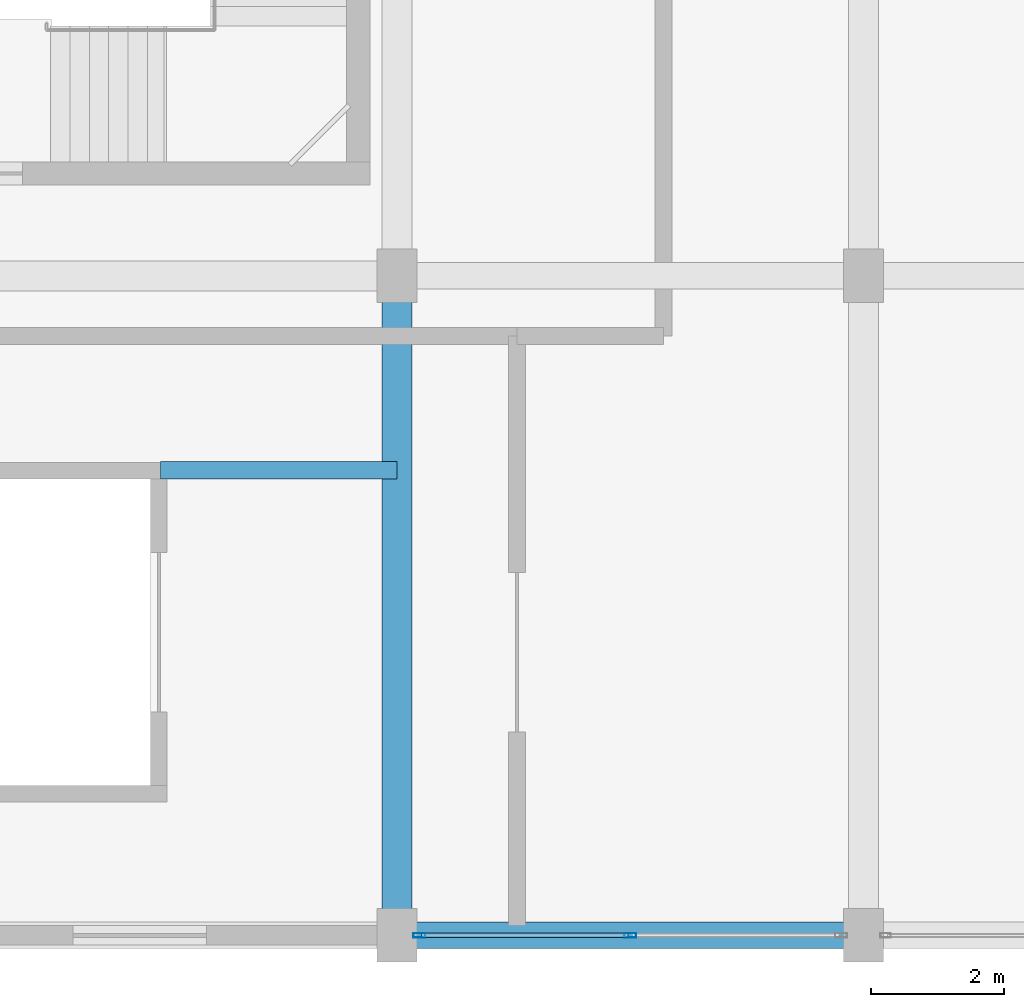
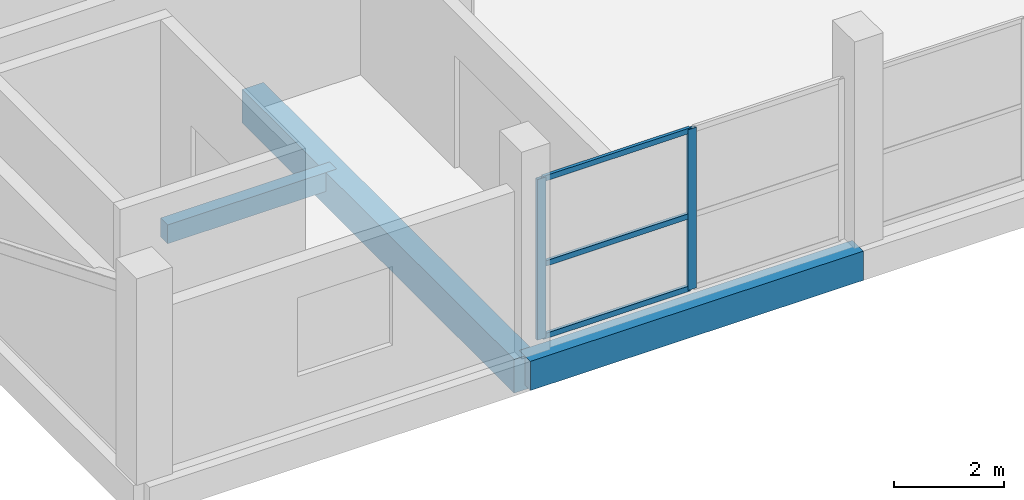
# One storey, part 2 of 58: 5 members, 3 beams, 1 element without a shape of its own.
"""IFC4 building model written with IfcOpenShell, lengths in metres."""

from ifc_helpers import new_model, si_unit, direction, frame, origin, origin_2d, place, context, subcontext, project, spatial, rectangle, hollow_rectangle, extrude, material, layer, layer_set, material_profile, profile_set, type_object, element, aggregate, save


model = new_model("IFC4")

# Units and contexts
model_context = context("Model", 3, precision=1e-05, world=origin(), true_north=direction((0.0, 1.0)))
body_context = subcontext(model_context, "Body", "Model", "MODEL_VIEW")
ifc_project = project(units=[si_unit("LENGTHUNIT", "METRE"), si_unit("AREAUNIT", "SQUARE_METRE"), si_unit("VOLUMEUNIT", "CUBIC_METRE"), si_unit("PLANEANGLEUNIT", "RADIAN"), si_unit("MASSUNIT", "GRAM", prefix="KILO")], contexts=[model_context])

# Site, building, storey
site_placement = place(None, origin())
site = spatial("IfcSite", under=ifc_project, at=site_placement, CompositionType="ELEMENT")
building_placement = place(site_placement, origin())
building = spatial("IfcBuilding", under=site, at=building_placement, Name="Sillaruma Civic Art Gallery", CompositionType="ELEMENT")
storey_placement = place(building_placement, frame((0.0, 0.0, 28.56005859375)))
storey = spatial("IfcBuildingStorey", under=building, at=storey_placement, Name="L05", CompositionType="ELEMENT", Elevation=28.56005859375)

# Beams
ifc_material_1 = material(Name="Concrete H40 (40 MPa)", Category="concrete")
ifc_material_profile_1 = material_profile(ifc_material_1, rectangle(XDim=0.449951171875, YDim=0.75, at=origin_2d()), Name="RCB450x750")
ifc_profile_set_1 = profile_set([ifc_material_profile_1], Name="Concrete H40 (40 MPa)")
beam_type_1 = type_object("IfcBeamType", Name="BM-BEAM-RCB450x750", PredefinedType="BEAM", material=ifc_profile_set_1)
beam_1_placement = place(storey_placement, frame((70.0, 19.800048828125, -0.655029296875), z_axis=(0.0, 1.0, 0.0), x_axis=(-1.0, 0.0, 0.0)))
element("IfcBeam", 1, at=beam_1_placement, inside=storey, type_object=beam_type_1, Name="Beam BM-03 (L04:G:3-4)", PredefinedType="BEAM", context=body_context, shape_type="SweptSolid", body=[
    extrude(rectangle(XDim=0.449951171875, YDim=0.75, at=origin_2d()), origin(), (0.0, 0.0, 1.0), 9.89990234375),
])
ifc_material_2 = material(Name="Concrete H35 (35 MPa)", Category="concrete")
ifc_material_profile_2 = material_profile(ifc_material_2, rectangle(XDim=0.260009765625, YDim=0.419921875, at=origin_2d()), Name="RCB260x420")
ifc_profile_set_2 = profile_set([ifc_material_profile_2], Name="Concrete H35 (35 MPa)")
beam_type_2 = type_object("IfcBeamType", Name="BM-LINTEL-RCB260x420", PredefinedType="LINTEL", material=ifc_profile_set_2)
beam_2_placement = place(storey_placement, frame((66.449951171875, 26.780029296875, -0.489990234375), z_axis=(1.0, 0.0, 0.0), x_axis=(0.0, 1.0, 0.0)))
element("IfcBeam", 2, at=beam_2_placement, inside=storey, type_object=beam_type_2, Name="Core Portal Coupling Lintel BL-02 (L04:GL1)", PredefinedType="LINTEL", context=body_context, shape_type="SweptSolid", body=[
    extrude(rectangle(XDim=0.260009765625, YDim=0.419921875, at=origin_2d()), origin(), (0.0, 0.0, 1.0), 3.550048828125),
])
ifc_material_profile_3 = material_profile(ifc_material_2, rectangle(XDim=0.39990234375, YDim=0.64990234375, at=origin_2d()), Name="RCB400x650")
ifc_profile_set_3 = profile_set([ifc_material_profile_3], Name="Concrete H35 (35 MPa)")
beam_type_3 = type_object("IfcBeamType", Name="BM-SPANDREL-RCB400x650", PredefinedType="SPANDREL", material=ifc_profile_set_3)
beam_3_placement = place(storey_placement, frame((70.0, 19.800048828125, -0.60498046875), z_axis=(1.0, 0.0, 0.0), x_axis=(0.0, 1.0, 0.0)))
element("IfcBeam", 3, at=beam_3_placement, inside=storey, type_object=beam_type_3, Name="Beam BS-02 (L04:3:G-H)", PredefinedType="SPANDREL", context=body_context, shape_type="SweptSolid", body=[
    extrude(rectangle(XDim=0.39990234375, YDim=0.64990234375, at=origin_2d()), origin(), (0.0, 0.0, 1.0), 7.0),
])

# Curtain wall, members
ifc_material_3 = material(Name="Thermally Broken Extruded Aluminium 6063-T6", Category="aluminium")
ifc_layer = layer(ifc_material_3, 0.179931640625, Name="Thermally Broken Extruded Aluminium 6063-T6")
ifc_layer_set = layer_set([ifc_layer], Name="Thermally Broken Extruded Aluminium 6063-T6")
curtain_wall_type = type_object("IfcCurtainWallType", Name="CW-UNI-36", PredefinedType="NOTDEFINED", material=ifc_layer_set)
curtain_wall_placement = place(storey_placement, origin())
curtain_wall = element("IfcCurtainWall", 4, at=curtain_wall_placement, inside=storey, type_object=curtain_wall_type, Name="Unitised Curtain Wall CW-36 (CW-L05-S-2)", PredefinedType="NOTDEFINED")
ifc_material_profile_4 = material_profile(ifc_material_3, hollow_rectangle(XDim=0.070068359375, YDim=0.179931640625, WallThickness=0.00390625, at=origin_2d()), Name="CWM70x180")
ifc_profile_set_4 = profile_set([ifc_material_profile_4], Name="Thermally Broken Extruded Aluminium 6063-T6")
member_type_1 = type_object("IfcMemberType", Name="MEM-MUL-CWM70x180", PredefinedType="MULLION", material=ifc_profile_set_4)
member_1_placement = place(storey_placement, frame((70.3349609375, 19.800048828125, 0.0), z_axis=(0.0, 0.0, 1.0), x_axis=(0.0, 1.0, 0.0)))
member_1 = element("IfcMember", 5, at=member_1_placement, type_object=member_type_1, Name="CW-36 mullion 1", PredefinedType="MULLION", context=body_context, shape_type="SweptSolid", body=[
    extrude(hollow_rectangle(XDim=0.070068359375, YDim=0.179931640625, WallThickness=0.00390625, at=origin_2d()), origin(), (0.0, 0.0, 1.0), 3.56982421875),
])
member_2_placement = place(storey_placement, frame((73.5, 19.800048828125, 0.0), z_axis=(0.0, 0.0, 1.0), x_axis=(0.0, 1.0, 0.0)))
member_2 = element("IfcMember", 6, at=member_2_placement, type_object=member_type_1, Name="CW-36 mullion 2", PredefinedType="MULLION", context=body_context, shape_type="SweptSolid", body=[
    extrude(hollow_rectangle(XDim=0.070068359375, YDim=0.179931640625, WallThickness=0.00390625, at=origin_2d()), origin(), (0.0, 0.0, 1.0), 3.56982421875),
])
ifc_material_profile_5 = material_profile(ifc_material_3, hollow_rectangle(XDim=0.06494140625, YDim=0.1201171875, WallThickness=0.00341796875, at=origin_2d()), Name="CWT65x120")
ifc_profile_set_5 = profile_set([ifc_material_profile_5], Name="Thermally Broken Extruded Aluminium 6063-T6")
member_type_2 = type_object("IfcMemberType", Name="MEM-TRN-CWT65x120", PredefinedType="USERDEFINED", material=ifc_profile_set_5)
member_3_placement = place(storey_placement, frame((70.3701171875, 19.800048828125, 0.032470703125), z_axis=(1.0, 0.0, 0.0), x_axis=(0.0, 1.0, 0.0)))
member_3 = element("IfcMember", 7, at=member_3_placement, type_object=member_type_2, Name="CW-36 transom 1.1", ObjectType="TRANSOM", PredefinedType="USERDEFINED", context=body_context, shape_type="SweptSolid", body=[
    extrude(hollow_rectangle(XDim=0.06494140625, YDim=0.1201171875, WallThickness=0.00341796875, at=origin_2d()), origin(), (0.0, 0.0, 1.0), 3.094970703125),
])
member_4_placement = place(storey_placement, frame((70.3701171875, 19.800048828125, 1.64208984375), z_axis=(1.0, 0.0, 0.0), x_axis=(0.0, 1.0, 0.0)))
member_4 = element("IfcMember", 8, at=member_4_placement, type_object=member_type_2, Name="CW-36 transom 1.2", ObjectType="TRANSOM", PredefinedType="USERDEFINED", context=body_context, shape_type="SweptSolid", body=[
    extrude(hollow_rectangle(XDim=0.06494140625, YDim=0.1201171875, WallThickness=0.00341796875, at=origin_2d()), origin(), (0.0, 0.0, 1.0), 3.094970703125),
])
member_5_placement = place(storey_placement, frame((70.3701171875, 19.800048828125, 3.537353515625), z_axis=(1.0, 0.0, 0.0), x_axis=(0.0, 1.0, 0.0)))
member_5 = element("IfcMember", 9, at=member_5_placement, type_object=member_type_2, Name="CW-36 transom 1.3", ObjectType="TRANSOM", PredefinedType="USERDEFINED", context=body_context, shape_type="SweptSolid", body=[
    extrude(hollow_rectangle(XDim=0.06494140625, YDim=0.1201171875, WallThickness=0.00341796875, at=origin_2d()), origin(), (0.0, 0.0, 1.0), 3.094970703125),
])
aggregate(curtain_wall, [member_1, member_2, member_3, member_4, member_5])

save(model, "model.ifc")
